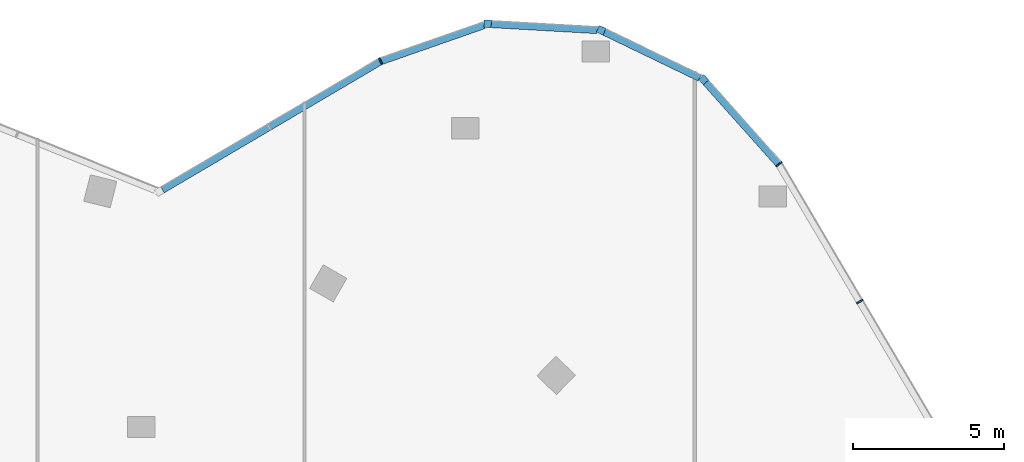
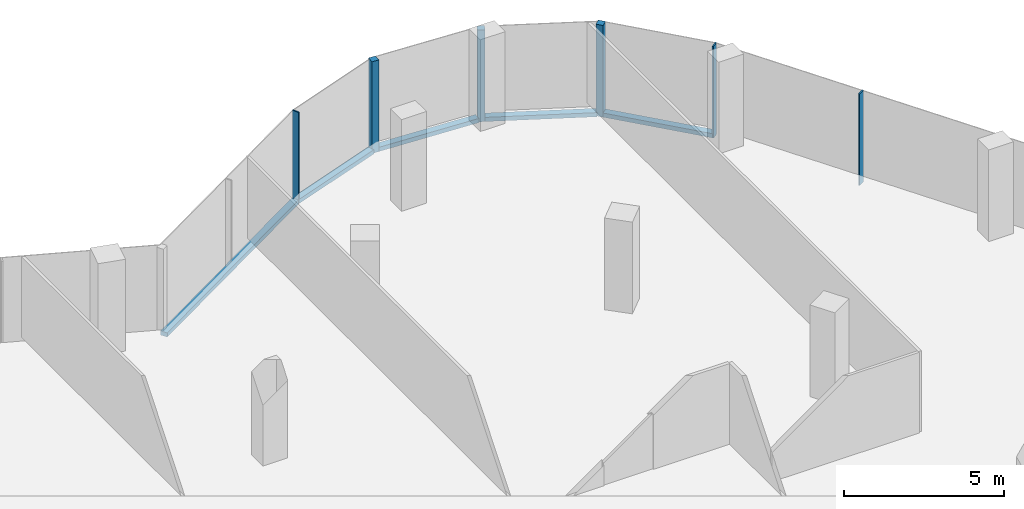
# One storey, part 9 of 16: 11 members, 6 elements without a shape of their own.
"""IFC4 building model written with IfcOpenShell, lengths in metres."""

from ifc_helpers import new_model, si_unit, direction, frame, origin, origin_2d, place, context, subcontext, project, spatial, rectangle, extrude, material, material_profile, profile_set, type_object, element, aggregate, save


model = new_model("IFC4")

# Units and contexts
model_context = context("Model", 3, precision=1e-05, world=origin(), true_north=direction((0.0, 1.0)))
body_context = subcontext(model_context, "Body", "Model", "MODEL_VIEW")
ifc_project = project(units=[si_unit("LENGTHUNIT", "METRE"), si_unit("AREAUNIT", "SQUARE_METRE"), si_unit("VOLUMEUNIT", "CUBIC_METRE"), si_unit("PLANEANGLEUNIT", "RADIAN"), si_unit("MASSUNIT", "GRAM", prefix="KILO")], contexts=[model_context])

# Site, building, storey
site_placement = place(None, origin())
site = spatial("IfcSite", under=ifc_project, at=site_placement, CompositionType="ELEMENT")
building_placement = place(site_placement, origin())
building = spatial("IfcBuilding", under=site, at=building_placement, Name="Orlundy Tower", CompositionType="ELEMENT")
storey_placement = place(building_placement, frame((0.0, 0.0, 282.39990234375)))
storey = spatial("IfcBuildingStorey", under=building, at=storey_placement, Name="L75", CompositionType="ELEMENT", Elevation=282.39990234375)

# Curtain wall, member
ifc_material_1 = material(Name="Aluminium bronze anodised", Category="aluminium")
curtain_wall_type = type_object("IfcCurtainWallType", Name="CW6 wall", PredefinedType="NOTDEFINED", material=ifc_material_1)
curtain_wall_1_placement = place(storey_placement, origin())
curtain_wall_1 = element("IfcCurtainWall", 1, at=curtain_wall_1_placement, inside=storey, type_object=curtain_wall_type, Name="CW6 run 020", PredefinedType="NOTDEFINED")
ifc_material_2 = material(Name="Aluminium bronze anodised", Category="aluminium")
ifc_material_profile_1 = material_profile(ifc_material_2, rectangle(XDim=0.239990234375, YDim=0.239990234375, at=origin_2d()), Name="CW6 corner post 240x240")
ifc_profile_set_1 = profile_set([ifc_material_profile_1], Name="Aluminium bronze anodised")
member_type_1 = type_object("IfcMemberType", Name="CW6 corner post 240x240", PredefinedType="MULLION", material=ifc_profile_set_1)
member_1_placement = place(storey_placement, frame((20.0419921875, 34.30908203125, -0.39990234375), z_axis=(0.0, 0.0, 1.0), x_axis=(0.056650299193, 0.998394082315, 0.0)))
member_1 = element("IfcMember", 2, at=member_1_placement, type_object=member_type_1, Name="CW6 mullion 42", PredefinedType="MULLION", context=body_context, shape_type="SweptSolid", body=[
    extrude(rectangle(XDim=0.239990234375, YDim=0.239990234375, at=origin_2d()), origin(), (0.0, 0.0, 1.0), 3.5),
])

curtain_wall_2_placement = place(storey_placement, origin())
curtain_wall_2 = element("IfcCurtainWall", 3, at=curtain_wall_2_placement, inside=storey, type_object=curtain_wall_type, Name="CW6 run 021", PredefinedType="NOTDEFINED")
member_2_placement = place(storey_placement, frame((23.79052734375, 34.096435546875, -0.39990234375), z_axis=(0.0, 0.0, 1.0), x_axis=(0.434326546158, 0.900755489188, 0.0)))
member_2 = element("IfcMember", 4, at=member_2_placement, type_object=member_type_1, Name="CW6 mullion 43", PredefinedType="MULLION", context=body_context, shape_type="SweptSolid", body=[
    extrude(rectangle(XDim=0.239990234375, YDim=0.239990234375, at=origin_2d()), origin(), (0.0, 0.0, 1.0), 3.5),
])

curtain_wall_3_placement = place(storey_placement, origin())
curtain_wall_3 = element("IfcCurtainWall", 5, at=curtain_wall_3_placement, inside=storey, type_object=curtain_wall_type, Name="CW6 run 022", PredefinedType="NOTDEFINED")
member_3_placement = place(storey_placement, frame((27.172607421875, 32.4658203125, -0.39990234375), z_axis=(0.0, 0.0, 1.0), x_axis=(0.746157794518, 0.665769138425, 0.0)))
member_3 = element("IfcMember", 6, at=member_3_placement, type_object=member_type_1, Name="CW6 mullion 44", PredefinedType="MULLION", context=body_context, shape_type="SweptSolid", body=[
    extrude(rectangle(XDim=0.239990234375, YDim=0.239990234375, at=origin_2d()), origin(), (0.0, 0.0, 1.0), 3.5),
])

curtain_wall_4_placement = place(storey_placement, origin())
curtain_wall_4 = element("IfcCurtainWall", 7, at=curtain_wall_4_placement, inside=storey, type_object=curtain_wall_type, Name="CW6 run 019", PredefinedType="NOTDEFINED")
ifc_material_3 = material(Name="Aluminium bronze anodised", Category="aluminium")
ifc_material_profile_2 = material_profile(ifc_material_3, rectangle(XDim=0.239990234375, YDim=0.050048828125, at=origin_2d()), Name="CW6 mullion 50x240")
ifc_profile_set_2 = profile_set([ifc_material_profile_2], Name="Aluminium bronze anodised")
member_type_2 = type_object("IfcMemberType", Name="CW6 mullion 50x240", PredefinedType="MULLION", material=ifc_profile_set_2)
member_4_placement = place(storey_placement, frame((16.50927734375, 33.075439453125, -0.39990234375), z_axis=(0.0, 0.0, 1.0), x_axis=(-0.420620734298, 0.907236572168, 0.0)))
member_4 = element("IfcMember", 8, at=member_4_placement, type_object=member_type_2, Name="CW6 mullion 41", PredefinedType="MULLION", context=body_context, shape_type="SweptSolid", body=[
    extrude(rectangle(XDim=0.239990234375, YDim=0.050048828125, at=origin_2d()), origin(), (0.0, 0.0, 1.0), 3.5),
])

# Curtain wall, members
curtain_wall_5_placement = place(storey_placement, origin())
curtain_wall_5 = element("IfcCurtainWall", 9, at=curtain_wall_5_placement, inside=storey, type_object=curtain_wall_type, Name="CW6 run 023", PredefinedType="NOTDEFINED")
member_5_placement = place(storey_placement, frame((29.664306640625, 29.673095703125, -0.39990234375), z_axis=(0.0, 0.0, 1.0), x_axis=(0.807779360228, 0.589484949078, 0.0)))
member_5 = element("IfcMember", 10, at=member_5_placement, type_object=member_type_2, Name="CW6 mullion 45", PredefinedType="MULLION", context=body_context, shape_type="SweptSolid", body=[
    extrude(rectangle(XDim=0.239990234375, YDim=0.050048828125, at=origin_2d()), origin(), (0.0, 0.0, 1.0), 3.5),
])
member_6_placement = place(storey_placement, frame((32.3349609375, 25.139404296875, -0.39990234375), z_axis=(0.0, 0.0, 1.0), x_axis=(0.861632919827, 0.507531980737, 0.0)))
member_6 = element("IfcMember", 11, at=member_6_placement, type_object=member_type_2, Name="CW6 mullion 46", PredefinedType="MULLION", context=body_context, shape_type="SweptSolid", body=[
    extrude(rectangle(XDim=0.239990234375, YDim=0.050048828125, at=origin_2d()), origin(), (0.0, 0.0, 1.0), 3.5),
])
aggregate(curtain_wall_5, [member_5, member_6])

# Curtain wall, member
curtain_wall_6_placement = place(storey_placement, origin())
curtain_wall_6 = element("IfcCurtainWall", 12, at=curtain_wall_6_placement, inside=storey, type_object=curtain_wall_type, Name="CW6 run 018", PredefinedType="NOTDEFINED")
ifc_material_4 = material(Name="Aluminium bronze anodised", Category="aluminium")
ifc_material_profile_3 = material_profile(ifc_material_4, rectangle(XDim=0.239990234375, YDim=0.159912109375, at=origin_2d()), Name="CW6 transom 240x160")
ifc_profile_set_3 = profile_set([ifc_material_profile_3], Name="Aluminium bronze anodised")
member_type_3 = type_object("IfcMemberType", Name="CW6 transom 240x160", PredefinedType="USERDEFINED", material=ifc_profile_set_3)
member_7_placement = place(storey_placement, frame((9.301513671875, 28.830322265625, -0.31982421875), z_axis=(0.861654135991, 0.507495960506, 0.0), x_axis=(-0.507495960506, 0.861654135991, 0.0)))
member_7 = element("IfcMember", 13, at=member_7_placement, type_object=member_type_3, Name="CW6 transom", ObjectType="TRANSOM", PredefinedType="USERDEFINED", context=body_context, shape_type="SweptSolid", body=[
    extrude(rectangle(XDim=0.239990234375, YDim=0.159912109375, at=origin_2d()), origin(), (0.0, 0.0, 1.0), 8.33984375),
])
aggregate(curtain_wall_6, [member_7])

# Member
member_8_placement = place(storey_placement, frame((16.532958984375, 33.083740234375, -0.31982421875), z_axis=(0.944088385931, 0.329692462076, 0.0), x_axis=(-0.329692462076, 0.944088385931, 0.0)))
member_8 = element("IfcMember", 14, at=member_8_placement, type_object=member_type_3, Name="CW6 transom", ObjectType="TRANSOM", PredefinedType="USERDEFINED", context=body_context, shape_type="SweptSolid", body=[
    extrude(rectangle(XDim=0.239990234375, YDim=0.159912109375, at=origin_2d()), origin(), (0.0, 0.0, 1.0), 3.5869140625),
])

aggregate(curtain_wall_4, [member_4, member_8])

member_9_placement = place(storey_placement, frame((20.161865234375, 34.30224609375, -0.31982421875), z_axis=(0.998394941321, -0.056635158198, 0.0), x_axis=(0.056635158198, 0.998394941321, 0.0)))
member_9 = element("IfcMember", 15, at=member_9_placement, type_object=member_type_3, Name="CW6 transom", ObjectType="TRANSOM", PredefinedType="USERDEFINED", context=body_context, shape_type="SweptSolid", body=[
    extrude(rectangle(XDim=0.239990234375, YDim=0.159912109375, at=origin_2d()), origin(), (0.0, 0.0, 1.0), 3.504638671875),
])

aggregate(curtain_wall_1, [member_1, member_9])

member_10_placement = place(storey_placement, frame((23.898681640625, 34.04443359375, -0.31982421875), z_axis=(0.900757488808, -0.434322399096, 0.0), x_axis=(0.434322399096, 0.900757488808, 0.0)))
member_10 = element("IfcMember", 16, at=member_10_placement, type_object=member_type_3, Name="CW6 transom", ObjectType="TRANSOM", PredefinedType="USERDEFINED", context=body_context, shape_type="SweptSolid", body=[
    extrude(rectangle(XDim=0.239990234375, YDim=0.159912109375, at=origin_2d()), origin(), (0.0, 0.0, 1.0), 3.5048828125),
])

aggregate(curtain_wall_2, [member_2, member_10])

member_11_placement = place(storey_placement, frame((27.25244140625, 32.376220703125, -0.31982421875), z_axis=(0.665790528863, -0.746138708067, 0.0), x_axis=(0.746138708067, 0.665790528863, 0.0)))
member_11 = element("IfcMember", 17, at=member_11_placement, type_object=member_type_3, Name="CW6 transom", ObjectType="TRANSOM", PredefinedType="USERDEFINED", context=body_context, shape_type="SweptSolid", body=[
    extrude(rectangle(XDim=0.239990234375, YDim=0.159912109375, at=origin_2d()), origin(), (0.0, 0.0, 1.0), 3.59765625),
])

aggregate(curtain_wall_3, [member_3, member_11])

save(model, "model.ifc")
